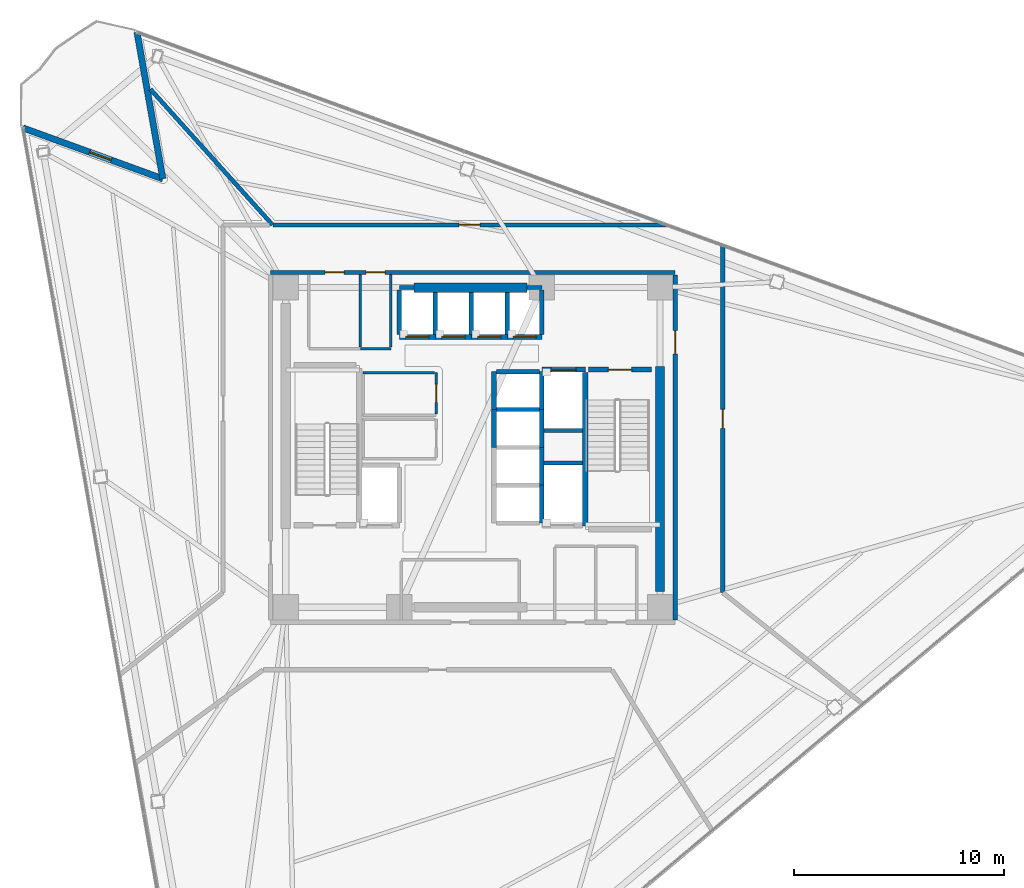
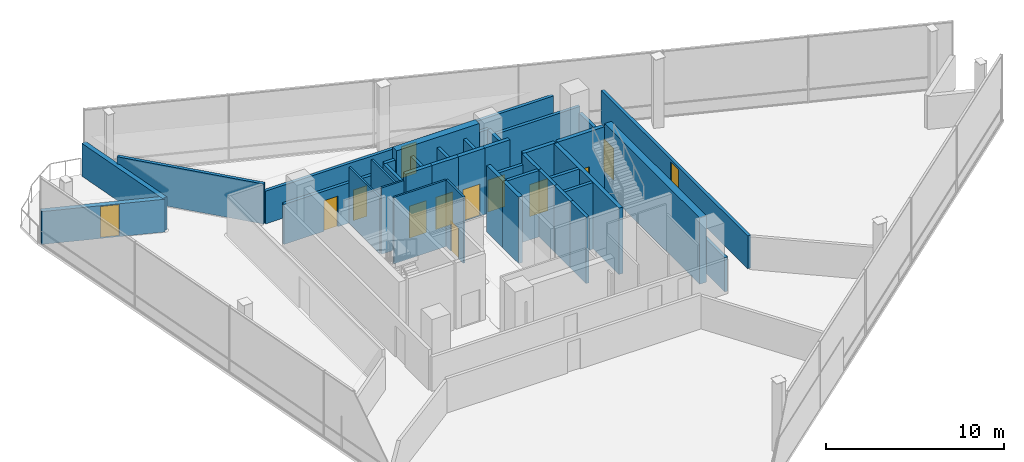
# One storey, part 11 of 15: 38 walls, 13 doors, 13 openings.
"""IFC4 building model written with IfcOpenShell, lengths in metres."""

from ifc_helpers import new_model, si_unit, direction, frame, frame_2d, origin, place, context, subcontext, project, spatial, rectangle, extrude, material, layer, layer_set, type_object, element, fill, save


model = new_model("IFC4")

# Units and contexts
model_context = context("Model", 3, precision=1e-05, world=origin(), true_north=direction((0.0, 1.0)))
body_context = subcontext(model_context, "Body", "Model", "MODEL_VIEW")
ifc_project = project(units=[si_unit("LENGTHUNIT", "METRE"), si_unit("AREAUNIT", "SQUARE_METRE"), si_unit("VOLUMEUNIT", "CUBIC_METRE"), si_unit("PLANEANGLEUNIT", "RADIAN"), si_unit("MASSUNIT", "GRAM", prefix="KILO")], contexts=[model_context])

# Site, building, storey
site_placement = place(None, origin())
site = spatial("IfcSite", under=ifc_project, at=site_placement, CompositionType="ELEMENT")
building_placement = place(site_placement, origin())
building = spatial("IfcBuilding", under=site, at=building_placement, Name="Tharavind Bronze Gate", CompositionType="ELEMENT")
storey_placement = place(building_placement, frame((0.0, 0.0, 192.10009765625)))
storey = spatial("IfcBuildingStorey", under=building, at=storey_placement, Name="L49", CompositionType="ELEMENT", Elevation=192.10009765625)

# Wall
ifc_material_1 = material(Name="Concrete C40/50", Category="concrete")
ifc_layer_1 = layer(ifc_material_1, 0.300048828125)
ifc_layer_set_1 = layer_set([ifc_layer_1], Name="Concrete C40/50")
wall_type_1 = type_object("IfcWallType", Name="EXTERIOR SPANDREL WALL 300", PredefinedType="STANDARD", material=ifc_layer_set_1)
wall_1_placement = place(storey_placement, frame((-15.97314453125, 19.743408203125, 0.0), z_axis=(0.0, 0.0, 1.0), x_axis=(0.173651569749, -0.984807154891, 0.0)))
element("IfcWall", 1, at=wall_1_placement, inside=storey, type_object=wall_type_1, Name="L49 notch cheek wall 1A", PredefinedType="STANDARD", context=body_context, shape_type="SweptSolid", body=[
    extrude(rectangle(XDim=7.080322265625, YDim=0.300048828125, at=frame_2d((3.5400390625, 0.0))), origin(), (0.0, 0.0, 1.0), 2.2548828125),
])

# Wall, opening, door
wall_2_placement = place(storey_placement, frame((-14.74365234375, 12.770751953125, 0.0), z_axis=(0.0, 0.0, 1.0), x_axis=(-0.939687665182, 0.342033758429, 0.0)))
wall_2 = element("IfcWall", 2, at=wall_2_placement, inside=storey, type_object=wall_type_1, Name="L49 notch cheek wall 1B", PredefinedType="STANDARD", context=body_context, shape_type="SweptSolid", body=[
    extrude(rectangle(XDim=7.080078125, YDim=0.300048828125, at=frame_2d((3.5400390625, 0.0))), origin(), (0.0, 0.0, 1.0), 2.2548828125),
])
opening_1_placement = place(wall_2_placement, frame((2.60791015625, 0.0, 0.0)))
opening_1 = element("IfcOpeningElement", 3, at=opening_1_placement, cuts=wall_2, Name="Opening ED04", PredefinedType="OPENING", context=body_context, shape_type="SweptSolid", body=[
    extrude(rectangle(XDim=1.10009765625, YDim=2.199951171875, at=frame_2d((0.550048828125, 1.10009765625))), frame((0.0, 0.15990234375, 0.0), z_axis=(0.0, -1.0, 0.0), x_axis=(1.0, 0.0, 0.0)), (0.0, 0.0, 1.0), 0.320048828125),
])
ifc_material_2 = material(Name="Bronze Aluminium & Toughened Glass", Category="aluminium")
door_type_1 = type_object("IfcDoorType", Name="TREE BALCONY ACCESS DOOR 1100X2200", OperationType="SINGLE_SWING_LEFT", PredefinedType="DOOR", material=ifc_material_2)
door_1_placement = place(opening_1_placement, frame((1.10009765625, 0.0, 0.0), z_axis=(0.0, 0.0, 1.0), x_axis=(-1.0, 0.0, 0.0)))
door_1 = element("IfcDoor", 4, at=door_1_placement, inside=storey, type_object=door_type_1, Name="L49 tree balcony access door", OperationType="SINGLE_SWING_LEFT", OverallHeight=2.199951171875, OverallWidth=1.10009765625, PredefinedType="DOOR", context=body_context, shape_type="SweptSolid", body=[
    extrude(rectangle(XDim=1.10009765625, YDim=2.199951171875, at=frame_2d((0.550048828125, 1.10009765625))), frame((0.0, 0.02490234375, 0.0), z_axis=(0.0, -1.0, 0.0), x_axis=(1.0, 0.0, 0.0)), (0.0, 0.0, 1.0), 0.050048828125),
])
fill(opening_1, door_1)

# Wall, openings, doors
ifc_material_3 = material(Name="Aerated Concrete Block", Category="concrete")
ifc_layer_2 = layer(ifc_material_3, 0.199951171875)
ifc_layer_set_2 = layer_set([ifc_layer_2], Name="Aerated Concrete Block")
wall_type_2 = type_object("IfcWallType", Name="FIRE RATED PARTITION 200", PredefinedType="PARTITIONING", material=ifc_layer_set_2)
wall_3_placement = place(storey_placement, frame((9.6201171875, 8.320068359375, 0.0), z_axis=(0.0, 0.0, 1.0), x_axis=(-1.0, 0.0, 0.0)))
wall_3 = element("IfcWall", 5, at=wall_3_placement, inside=storey, type_object=wall_type_2, Name="L49 north core corridor wall", PredefinedType="PARTITIONING", context=body_context, shape_type="SweptSolid", body=[
    extrude(rectangle(XDim=19.240234375, YDim=0.199951171875, at=frame_2d((9.6201171875, 0.0))), origin(), (0.0, 0.0, 1.0), 2.7548828125),
])
opening_2_placement = place(wall_3_placement, frame((15.7451171875, 0.0, 0.0)))
opening_2 = element("IfcOpeningElement", 6, at=opening_2_placement, cuts=wall_3, Name="Opening ID07", PredefinedType="OPENING", context=body_context, shape_type="SweptSolid", body=[
    extrude(rectangle(XDim=0.89990234375, YDim=2.10009765625, at=frame_2d((0.449951171875, 1.050048828125))), frame((0.0, 0.11009765625, 0.0), z_axis=(0.0, -1.0, 0.0), x_axis=(1.0, 0.0, 0.0)), (0.0, 0.0, 1.0), 0.219951171875),
])
opening_3_placement = place(wall_3_placement, frame((13.794921875, 0.0, 0.0)))
opening_3 = element("IfcOpeningElement", 7, at=opening_3_placement, cuts=wall_3, Name="Opening ID07", PredefinedType="OPENING", context=body_context, shape_type="SweptSolid", body=[
    extrude(rectangle(XDim=0.89990234375, YDim=2.10009765625, at=frame_2d((0.449951171875, 1.050048828125))), frame((0.0, 0.11009765625, 0.0), z_axis=(0.0, -1.0, 0.0), x_axis=(1.0, 0.0, 0.0)), (0.0, 0.0, 1.0), 0.219951171875),
])
ifc_material_4 = material(Name="Galvanised Fire Steel", Category="steel")
door_type_2 = type_object("IfcDoorType", Name="PLANT AND RISER FIRE DOOR 900X2100", OperationType="SINGLE_SWING_LEFT", PredefinedType="DOOR", material=ifc_material_4)
door_2_placement = place(opening_2_placement, origin())
door_2 = element("IfcDoor", 8, at=door_2_placement, inside=storey, type_object=door_type_2, Name="L49 Electrical Metering Room fire door", OperationType="SINGLE_SWING_LEFT", OverallHeight=2.10009765625, OverallWidth=0.89990234375, PredefinedType="DOOR", context=body_context, shape_type="SweptSolid", body=[
    extrude(rectangle(XDim=0.89990234375, YDim=2.10009765625, at=frame_2d((0.449951171875, 1.050048828125))), frame((0.0, 0.02490234375, 0.0), z_axis=(0.0, -1.0, 0.0), x_axis=(1.0, 0.0, 0.0)), (0.0, 0.0, 1.0), 0.050048828125),
])
fill(opening_2, door_2)
door_3_placement = place(opening_3_placement, origin())
door_3 = element("IfcDoor", 9, at=door_3_placement, inside=storey, type_object=door_type_2, Name="L49 Linen Cupboard fire door", OperationType="SINGLE_SWING_LEFT", OverallHeight=2.10009765625, OverallWidth=0.89990234375, PredefinedType="DOOR", context=body_context, shape_type="SweptSolid", body=[
    extrude(rectangle(XDim=0.89990234375, YDim=2.10009765625, at=frame_2d((0.449951171875, 1.050048828125))), frame((0.0, 0.02490234375, 0.0), z_axis=(0.0, -1.0, 0.0), x_axis=(1.0, 0.0, 0.0)), (0.0, 0.0, 1.0), 0.050048828125),
])
fill(opening_3, door_3)

# Wall, opening, door
wall_4_placement = place(storey_placement, frame((9.6201171875, -8.199951171875, 0.0), z_axis=(0.0, 0.0, 1.0), x_axis=(0.0, 1.0, 0.0)))
wall_4 = element("IfcWall", 10, at=wall_4_placement, inside=storey, type_object=wall_type_2, Name="L49 east core corridor wall", PredefinedType="PARTITIONING", context=body_context, shape_type="SweptSolid", body=[
    extrude(rectangle(XDim=16.39990234375, YDim=0.199951171875, at=frame_2d((8.199951171875, 0.0))), origin(), (0.0, 0.0, 1.0), 2.35498046875),
])
opening_4_placement = place(wall_4_placement, frame((12.64990234375, 0.0, 0.0)))
opening_4 = element("IfcOpeningElement", 11, at=opening_4_placement, cuts=wall_4, Name="Opening ID01", PredefinedType="OPENING", context=body_context, shape_type="SweptSolid", body=[
    extrude(rectangle(XDim=1.10009765625, YDim=2.14990234375, at=frame_2d((0.550048828125, 1.074951171875))), frame((0.0, 0.11009765625, 0.0), z_axis=(0.0, -1.0, 0.0), x_axis=(1.0, 0.0, 0.0)), (0.0, 0.0, 1.0), 0.219951171875),
])
ifc_material_5 = material(Name="Fire-Rated Steel", Category="steel")
door_type_3 = type_object("IfcDoorType", Name="STAIR CORE FIRE DOOR 1100X2150", OperationType="SINGLE_SWING_LEFT", PredefinedType="DOOR", material=ifc_material_5)
door_4_placement = place(opening_4_placement, frame((1.10009765625, 0.0, 0.0), z_axis=(0.0, 0.0, 1.0), x_axis=(-1.0, 0.0, 0.0)))
door_4 = element("IfcDoor", 12, at=door_4_placement, inside=storey, type_object=door_type_3, Name="L49 north east stair lobby fire door", OperationType="SINGLE_SWING_LEFT", OverallHeight=2.14990234375, OverallWidth=1.10009765625, PredefinedType="DOOR", context=body_context, shape_type="SweptSolid", body=[
    extrude(rectangle(XDim=1.10009765625, YDim=2.14990234375, at=frame_2d((0.550048828125, 1.074951171875))), frame((0.0, 0.02490234375, 0.0), z_axis=(0.0, -1.0, 0.0), x_axis=(1.0, 0.0, 0.0)), (0.0, 0.0, 1.0), 0.050048828125),
])
fill(opening_4, door_4)

wall_5_placement = place(storey_placement, frame((9.202880859375, 10.580078125, 0.0), z_axis=(0.0, 0.0, 1.0), x_axis=(-1.0, 0.0, 0.0)))
wall_5 = element("IfcWall", 13, at=wall_5_placement, inside=storey, type_object=wall_type_2, Name="L49 Industrial Design Open Studio partition", PredefinedType="PARTITIONING", context=body_context, shape_type="SweptSolid", body=[
    extrude(rectangle(XDim=18.718017578125, YDim=0.199951171875, at=frame_2d((9.35888671875, 0.0))), origin(), (0.0, 0.0, 1.0), 2.2548828125),
])
opening_5_placement = place(wall_5_placement, frame((8.85888671875, 0.0, 0.0)))
opening_5 = element("IfcOpeningElement", 14, at=opening_5_placement, cuts=wall_5, Name="Opening ID04", PredefinedType="OPENING", context=body_context, shape_type="SweptSolid", body=[
    extrude(rectangle(XDim=1.0, YDim=2.14990234375, at=frame_2d((0.5, 1.074951171875))), frame((0.0, 0.11009765625, 0.0), z_axis=(0.0, -1.0, 0.0), x_axis=(1.0, 0.0, 0.0)), (0.0, 0.0, 1.0), 0.219951171875),
])
ifc_material_6 = material(Name="Bronze Framed Acoustic Timber", Category="wood")
door_type_4 = type_object("IfcDoorType", Name="OFFICE TENANCY DOOR 1000X2150", OperationType="SINGLE_SWING_RIGHT", PredefinedType="DOOR", material=ifc_material_6)
door_5_placement = place(opening_5_placement, origin())
door_5 = element("IfcDoor", 15, at=door_5_placement, inside=storey, type_object=door_type_4, Name="L49 Industrial Design Open Studio door", OperationType="SINGLE_SWING_RIGHT", OverallHeight=2.14990234375, OverallWidth=1.0, PredefinedType="DOOR", context=body_context, shape_type="SweptSolid", body=[
    extrude(rectangle(XDim=1.0, YDim=2.14990234375, at=frame_2d((0.5, 1.074951171875))), frame((0.0, 0.02490234375, 0.0), z_axis=(0.0, -1.0, 0.0), x_axis=(1.0, 0.0, 0.0)), (0.0, 0.0, 1.0), 0.050048828125),
])
fill(opening_5, door_5)

# Wall
wall_6_placement = place(storey_placement, frame((-9.53369140625, 10.58837890625, 0.0), z_axis=(0.0, 0.0, 1.0), x_axis=(-0.66914197802, 0.743134586231, 0.0)))
element("IfcWall", 16, at=wall_6_placement, inside=storey, type_object=wall_type_2, Name="L49 Industrial Design Open Studio partition", PredefinedType="PARTITIONING", context=body_context, shape_type="SweptSolid", body=[
    extrude(rectangle(XDim=8.674560546875, YDim=0.199951171875, at=frame_2d((4.33740234375, 0.0))), origin(), (0.0, 0.0, 1.0), 2.7548828125),
])

# Wall, opening, door
wall_7_placement = place(storey_placement, frame((11.8798828125, -6.891357421875, 0.0), z_axis=(0.0, 0.0, 1.0), x_axis=(0.0, 1.0, 0.0)))
wall_7 = element("IfcWall", 17, at=wall_7_placement, inside=storey, type_object=wall_type_2, Name="L49 Design Tea Pantry partition", PredefinedType="PARTITIONING", context=body_context, shape_type="SweptSolid", body=[
    extrude(rectangle(XDim=16.4970703125, YDim=0.199951171875, at=frame_2d((8.24853515625, 0.0))), origin(), (0.0, 0.0, 1.0), 2.2548828125),
])
opening_6_placement = place(wall_7_placement, frame((7.798095703125, 0.0, 0.0)))
opening_6 = element("IfcOpeningElement", 18, at=opening_6_placement, cuts=wall_7, Name="Opening ID07", PredefinedType="OPENING", context=body_context, shape_type="SweptSolid", body=[
    extrude(rectangle(XDim=0.89990234375, YDim=2.10009765625, at=frame_2d((0.449951171875, 1.050048828125))), frame((0.0, 0.11009765625, 0.0), z_axis=(0.0, -1.0, 0.0), x_axis=(1.0, 0.0, 0.0)), (0.0, 0.0, 1.0), 0.219951171875),
])
door_6_placement = place(opening_6_placement, origin())
door_6 = element("IfcDoor", 19, at=door_6_placement, inside=storey, type_object=door_type_2, Name="L49 Design Tea Pantry door", OperationType="SINGLE_SWING_LEFT", OverallHeight=2.10009765625, OverallWidth=0.89990234375, PredefinedType="DOOR", context=body_context, shape_type="SweptSolid", body=[
    extrude(rectangle(XDim=0.89990234375, YDim=2.10009765625, at=frame_2d((0.449951171875, 1.050048828125))), frame((0.0, 0.02490234375, 0.0), z_axis=(0.0, -1.0, 0.0), x_axis=(1.0, 0.0, 0.0)), (0.0, 0.0, 1.0), 0.050048828125),
])
fill(opening_6, door_6)

ifc_material_7 = material(Name="Metal Stud Gypsum Partition", Category="gypsum")
ifc_layer_3 = layer(ifc_material_7, 0.1201171875)
ifc_layer_set_3 = layer_set([ifc_layer_3], Name="Metal Stud Gypsum Partition")
wall_type_3 = type_object("IfcWallType", Name="INTERIOR PARTITION WALL 120", PredefinedType="PARTITIONING", material=ifc_layer_set_3)
wall_8_placement = place(storey_placement, frame((-1.75, 1.5849609375, 0.0), z_axis=(0.0, 0.0, 1.0), x_axis=(0.0, 1.0, 0.0)))
wall_8 = element("IfcWall", 20, at=wall_8_placement, inside=storey, type_object=wall_type_3, Name="L49 Cleaner Store Room partition 2", PredefinedType="PARTITIONING", context=body_context, shape_type="SweptSolid", body=[
    extrude(rectangle(XDim=1.965087890625, YDim=0.1201171875, at=frame_2d((0.982421875, 0.0))), origin(), (0.0, 0.0, 1.0), 4.559814453125),
])
opening_7_placement = place(wall_8_placement, frame((0.556884765625, 0.0, 0.0)))
opening_7 = element("IfcOpeningElement", 21, at=opening_7_placement, cuts=wall_8, Name="Opening ID06", PredefinedType="OPENING", context=body_context, shape_type="SweptSolid", body=[
    extrude(rectangle(XDim=0.85009765625, YDim=2.10009765625, at=frame_2d((0.425048828125, 1.050048828125))), frame((0.0, 0.07005859375, 0.0), z_axis=(0.0, -1.0, 0.0), x_axis=(1.0, 0.0, 0.0)), (0.0, 0.0, 1.0), 0.1401171875),
])
ifc_material_8 = material(Name="Moisture-Resistant Timber", Category="wood")
door_type_5 = type_object("IfcDoorType", Name="BATHROOM PRIVACY DOOR 850X2100", OperationType="SINGLE_SWING_RIGHT", PredefinedType="DOOR", material=ifc_material_8)
door_7_placement = place(opening_7_placement, frame((0.85009765625, 0.0, 0.0), z_axis=(0.0, 0.0, 1.0), x_axis=(-1.0, 0.0, 0.0)))
door_7 = element("IfcDoor", 22, at=door_7_placement, inside=storey, type_object=door_type_5, Name="L49 Cleaner Store Room door", OperationType="SINGLE_SWING_RIGHT", OverallHeight=2.10009765625, OverallWidth=0.85009765625, PredefinedType="DOOR", context=body_context, shape_type="SweptSolid", body=[
    extrude(rectangle(XDim=0.85009765625, YDim=2.10009765625, at=frame_2d((0.425048828125, 1.050048828125))), frame((0.0, 0.02490234375, 0.0), z_axis=(0.0, -1.0, 0.0), x_axis=(1.0, 0.0, 0.0)), (0.0, 0.0, 1.0), 0.050048828125),
])
fill(opening_7, door_7)

# Walls
wall_9_placement = place(storey_placement, frame((-1.81494140625, 3.550048828125, 0.0), z_axis=(0.0, 0.0, 1.0), x_axis=(-1.0, 0.0, 0.0)))
element("IfcWall", 23, at=wall_9_placement, inside=storey, type_object=wall_type_3, Name="L49 Cleaner Store Room partition 3", PredefinedType="PARTITIONING", context=body_context, shape_type="SweptSolid", body=[
    extrude(rectangle(XDim=3.405029296875, YDim=0.1201171875, at=frame_2d((1.70263671875, 0.0))), origin(), (0.0, 0.0, 1.0), 4.559814453125),
])
wall_10_placement = place(storey_placement, frame((-5.35009765625, 4.764892578125, 0.0), z_axis=(0.0, 0.0, 1.0), x_axis=(0.0, 1.0, 0.0)))
element("IfcWall", 24, at=wall_10_placement, inside=storey, type_object=wall_type_3, Name="L49 Electrical Metering Room partition 2", PredefinedType="PARTITIONING", context=body_context, shape_type="SweptSolid", body=[
    extrude(rectangle(XDim=3.4501953125, YDim=0.1201171875, at=frame_2d((1.72509765625, 0.0))), origin(), (0.0, 0.0, 1.0), 3.85498046875),
])
wall_11_placement = place(storey_placement, frame((-5.35009765625, 4.699951171875, 0.0), z_axis=(0.0, 0.0, 1.0), x_axis=(1.0, 0.0, 0.0)))
element("IfcWall", 25, at=wall_11_placement, inside=storey, type_object=wall_type_3, Name="L49 Linen Cupboard partition 1", PredefinedType="PARTITIONING", context=body_context, shape_type="SweptSolid", body=[
    extrude(rectangle(XDim=1.4501953125, YDim=0.1201171875, at=frame_2d((0.72509765625, 0.0))), origin(), (0.0, 0.0, 1.0), 4.559814453125),
])
wall_12_placement = place(storey_placement, frame((-3.89990234375, 4.764892578125, 0.0), z_axis=(0.0, 0.0, 1.0), x_axis=(0.0, 1.0, 0.0)))
element("IfcWall", 26, at=wall_12_placement, inside=storey, type_object=wall_type_3, Name="L49 Linen Cupboard partition 2", PredefinedType="PARTITIONING", context=body_context, shape_type="SweptSolid", body=[
    extrude(rectangle(XDim=3.4501953125, YDim=0.1201171875, at=frame_2d((1.72509765625, 0.0))), origin(), (0.0, 0.0, 1.0), 3.85498046875),
])
ifc_material_9 = material(Name="Concrete C50/60", Category="concrete")
ifc_layer_4 = layer(ifc_material_9, 0.25)
ifc_layer_set_4 = layer_set([ifc_layer_4], Name="Concrete C50/60")
wall_type_4 = type_object("IfcWallType", Name="RC CORE SHEAR WALL 250", PredefinedType="SHEAR", material=ifc_layer_set_4)
wall_13_placement = place(storey_placement, frame((5.35009765625, -3.75, 0.0), z_axis=(0.0, 0.0, 1.0), x_axis=(0.0, 1.0, 0.0)))
element("IfcWall", 27, at=wall_13_placement, inside=storey, type_object=wall_type_4, Name="L49 ST2 shaft west wall", PredefinedType="SHEAR", context=body_context, shape_type="SweptSolid", body=[
    extrude(rectangle(XDim=7.300048828125, YDim=0.25, at=frame_2d((3.64990234375, 0.0))), origin(), (0.0, 0.0, 1.0), 4.559814453125),
])

# Wall, opening, door
wall_14_placement = place(storey_placement, frame((5.5, 3.699951171875, 0.0), z_axis=(0.0, 0.0, 1.0), x_axis=(1.0, 0.0, 0.0)))
wall_14 = element("IfcWall", 28, at=wall_14_placement, inside=storey, type_object=wall_type_4, Name="L49 ST2 shaft north wall", PredefinedType="SHEAR", context=body_context, shape_type="SweptSolid", body=[
    extrude(rectangle(XDim=3.0, YDim=0.25, at=frame_2d((1.5, 0.0))), origin(), (0.0, 0.0, 1.0), 4.559814453125),
])
opening_8_placement = place(wall_14_placement, frame((0.949951171875, 0.0, 0.0)))
opening_8 = element("IfcOpeningElement", 29, at=opening_8_placement, cuts=wall_14, Name="Opening ID01", PredefinedType="OPENING", context=body_context, shape_type="SweptSolid", body=[
    extrude(rectangle(XDim=1.10009765625, YDim=2.14990234375, at=frame_2d((0.550048828125, 1.074951171875))), frame((0.0, 0.135, 0.0), z_axis=(0.0, -1.0, 0.0), x_axis=(1.0, 0.0, 0.0)), (0.0, 0.0, 1.0), 0.27),
])
door_8_placement = place(opening_8_placement, frame((1.10009765625, 0.0, 0.0), z_axis=(0.0, 0.0, 1.0), x_axis=(-1.0, 0.0, 0.0)))
door_8 = element("IfcDoor", 30, at=door_8_placement, inside=storey, type_object=door_type_3, Name="L49 exit stair ST2 fire door", OperationType="SINGLE_SWING_LEFT", OverallHeight=2.14990234375, OverallWidth=1.10009765625, PredefinedType="DOOR", context=body_context, shape_type="SweptSolid", body=[
    extrude(rectangle(XDim=1.10009765625, YDim=2.14990234375, at=frame_2d((0.550048828125, 1.074951171875))), frame((0.0, 0.02490234375, 0.0), z_axis=(0.0, -1.0, 0.0), x_axis=(1.0, 0.0, 0.0)), (0.0, 0.0, 1.0), 0.050048828125),
])
fill(opening_8, door_8)

wall_15_placement = place(storey_placement, frame((-3.5, 5.25, 0.0), z_axis=(0.0, 0.0, 1.0), x_axis=(1.0, 0.0, 0.0)))
wall_15 = element("IfcWall", 31, at=wall_15_placement, inside=storey, type_object=wall_type_4, Name="L49 lift PL5 shaft front wall", PredefinedType="SHEAR", context=body_context, shape_type="SweptSolid", body=[
    extrude(rectangle(XDim=1.71240234375, YDim=0.25, at=frame_2d((0.856201171875, 0.0))), origin(), (0.0, 0.0, 1.0), 4.559814453125),
])
opening_9_placement = place(wall_15_placement, frame((0.305908203125, 0.0, 0.0)))
opening_9 = element("IfcOpeningElement", 32, at=opening_9_placement, cuts=wall_15, Name="Opening LD01", PredefinedType="OPENING", context=body_context, shape_type="SweptSolid", body=[
    extrude(rectangle(XDim=1.10009765625, YDim=2.199951171875, at=frame_2d((0.550048828125, 1.10009765625))), frame((0.0, 0.135, 0.0), z_axis=(0.0, -1.0, 0.0), x_axis=(1.0, 0.0, 0.0)), (0.0, 0.0, 1.0), 0.27),
])
ifc_material_10 = material(Name="Brushed Bronze Stainless Steel", Category="steel")
door_type_6 = type_object("IfcDoorType", Name="LIFT LANDING SLIDING DOOR 1100X2200", OperationType="SLIDING_TO_LEFT", PredefinedType="DOOR", material=ifc_material_10)
door_9_placement = place(opening_9_placement, origin())
door_9 = element("IfcDoor", 33, at=door_9_placement, inside=storey, type_object=door_type_6, Name="L49 lift PL5 sliding landing door", OperationType="SLIDING_TO_LEFT", OverallHeight=2.199951171875, OverallWidth=1.10009765625, PredefinedType="DOOR", context=body_context, shape_type="SweptSolid", body=[
    extrude(rectangle(XDim=1.10009765625, YDim=2.199951171875, at=frame_2d((0.550048828125, 1.10009765625))), frame((0.0, 0.02490234375, 0.0), z_axis=(0.0, -1.0, 0.0), x_axis=(1.0, 0.0, 0.0)), (0.0, 0.0, 1.0), 0.050048828125),
])
fill(opening_9, door_9)

wall_16_placement = place(storey_placement, frame((-1.78759765625, 5.25, 0.0), z_axis=(0.0, 0.0, 1.0), x_axis=(1.0, 0.0, 0.0)))
wall_16 = element("IfcWall", 34, at=wall_16_placement, inside=storey, type_object=wall_type_4, Name="L49 lift PL6 shaft front wall", PredefinedType="SHEAR", context=body_context, shape_type="SweptSolid", body=[
    extrude(rectangle(XDim=1.712646484375, YDim=0.25, at=frame_2d((0.8564453125, 0.0))), origin(), (0.0, 0.0, 1.0), 4.559814453125),
])
opening_10_placement = place(wall_16_placement, frame((0.305908203125, 0.0, 0.0)))
opening_10 = element("IfcOpeningElement", 35, at=opening_10_placement, cuts=wall_16, Name="Opening LD01", PredefinedType="OPENING", context=body_context, shape_type="SweptSolid", body=[
    extrude(rectangle(XDim=1.10009765625, YDim=2.199951171875, at=frame_2d((0.550048828125, 1.10009765625))), frame((0.0, 0.135, 0.0), z_axis=(0.0, -1.0, 0.0), x_axis=(1.0, 0.0, 0.0)), (0.0, 0.0, 1.0), 0.27),
])
door_10_placement = place(opening_10_placement, origin())
door_10 = element("IfcDoor", 36, at=door_10_placement, inside=storey, type_object=door_type_6, Name="L49 lift PL6 sliding landing door", OperationType="SLIDING_TO_LEFT", OverallHeight=2.199951171875, OverallWidth=1.10009765625, PredefinedType="DOOR", context=body_context, shape_type="SweptSolid", body=[
    extrude(rectangle(XDim=1.10009765625, YDim=2.199951171875, at=frame_2d((0.550048828125, 1.10009765625))), frame((0.0, 0.02490234375, 0.0), z_axis=(0.0, -1.0, 0.0), x_axis=(1.0, 0.0, 0.0)), (0.0, 0.0, 1.0), 0.050048828125),
])
fill(opening_10, door_10)

wall_17_placement = place(storey_placement, frame((-0.074951171875, 5.25, 0.0), z_axis=(0.0, 0.0, 1.0), x_axis=(1.0, 0.0, 0.0)))
wall_17 = element("IfcWall", 37, at=wall_17_placement, inside=storey, type_object=wall_type_4, Name="L49 lift PL7 shaft front wall", PredefinedType="SHEAR", context=body_context, shape_type="SweptSolid", body=[
    extrude(rectangle(XDim=1.71240234375, YDim=0.25, at=frame_2d((0.856201171875, 0.0))), origin(), (0.0, 0.0, 1.0), 4.559814453125),
])
opening_11_placement = place(wall_17_placement, frame((0.305908203125, 0.0, 0.0)))
opening_11 = element("IfcOpeningElement", 38, at=opening_11_placement, cuts=wall_17, Name="Opening LD01", PredefinedType="OPENING", context=body_context, shape_type="SweptSolid", body=[
    extrude(rectangle(XDim=1.10009765625, YDim=2.199951171875, at=frame_2d((0.550048828125, 1.10009765625))), frame((0.0, 0.135, 0.0), z_axis=(0.0, -1.0, 0.0), x_axis=(1.0, 0.0, 0.0)), (0.0, 0.0, 1.0), 0.27),
])
door_11_placement = place(opening_11_placement, origin())
door_11 = element("IfcDoor", 39, at=door_11_placement, inside=storey, type_object=door_type_6, Name="L49 lift PL7 sliding landing door", OperationType="SLIDING_TO_LEFT", OverallHeight=2.199951171875, OverallWidth=1.10009765625, PredefinedType="DOOR", context=body_context, shape_type="SweptSolid", body=[
    extrude(rectangle(XDim=1.10009765625, YDim=2.199951171875, at=frame_2d((0.550048828125, 1.10009765625))), frame((0.0, 0.02490234375, 0.0), z_axis=(0.0, -1.0, 0.0), x_axis=(1.0, 0.0, 0.0)), (0.0, 0.0, 1.0), 0.050048828125),
])
fill(opening_11, door_11)

wall_18_placement = place(storey_placement, frame((1.637451171875, 5.25, 0.0), z_axis=(0.0, 0.0, 1.0), x_axis=(1.0, 0.0, 0.0)))
wall_18 = element("IfcWall", 40, at=wall_18_placement, inside=storey, type_object=wall_type_4, Name="L49 lift PL8 shaft front wall", PredefinedType="SHEAR", context=body_context, shape_type="SweptSolid", body=[
    extrude(rectangle(XDim=1.642578125, YDim=0.25, at=frame_2d((0.8212890625, 0.0))), origin(), (0.0, 0.0, 1.0), 4.559814453125),
])
opening_12_placement = place(wall_18_placement, frame((0.27099609375, 0.0, 0.0)))
opening_12 = element("IfcOpeningElement", 41, at=opening_12_placement, cuts=wall_18, Name="Opening LD01", PredefinedType="OPENING", context=body_context, shape_type="SweptSolid", body=[
    extrude(rectangle(XDim=1.10009765625, YDim=2.199951171875, at=frame_2d((0.550048828125, 1.10009765625))), frame((0.0, 0.135, 0.0), z_axis=(0.0, -1.0, 0.0), x_axis=(1.0, 0.0, 0.0)), (0.0, 0.0, 1.0), 0.27),
])
door_12_placement = place(opening_12_placement, origin())
door_12 = element("IfcDoor", 42, at=door_12_placement, inside=storey, type_object=door_type_6, Name="L49 lift PL8 sliding landing door", OperationType="SLIDING_TO_LEFT", OverallHeight=2.199951171875, OverallWidth=1.10009765625, PredefinedType="DOOR", context=body_context, shape_type="SweptSolid", body=[
    extrude(rectangle(XDim=1.10009765625, YDim=2.199951171875, at=frame_2d((0.550048828125, 1.10009765625))), frame((0.0, 0.02490234375, 0.0), z_axis=(0.0, -1.0, 0.0), x_axis=(1.0, 0.0, 0.0)), (0.0, 0.0, 1.0), 0.050048828125),
])
fill(opening_12, door_12)

# Walls
for number, where, z_axis, x_axis, name in (
    (43, (1.0, 0.0, 0.0), (0.0, 0.0, 1.0), (0.0, 1.0, 0.0), "L49 lift PL11 shaft front wall"),
    (44, (1.0, 1.800048828125, 0.0), (0.0, 0.0, 1.0), (0.0, 1.0, 0.0), "L49 lift PL12 shaft front wall"),
):
    element("IfcWall", number, at=place(storey_placement, frame(where, z_axis=z_axis, x_axis=x_axis)), inside=storey, type_object=wall_type_4, Name=name, PredefinedType="SHEAR", context=body_context, shape_type="SweptSolid", body=[
        extrude(rectangle(XDim=1.800048828125, YDim=0.25, at=frame_2d((0.89990234375, 0.0))), origin(), (0.0, 0.0, 1.0), 4.559814453125),
    ])

# Wall, opening, door
wall_19_placement = place(storey_placement, frame((3.280029296875, 3.699951171875, 0.0), z_axis=(0.0, 0.0, 1.0), x_axis=(1.0, 0.0, 0.0)))
wall_19 = element("IfcWall", 45, at=wall_19_placement, inside=storey, type_object=wall_type_4, Name="L49 lift FFL2 shaft front wall", PredefinedType="SHEAR", context=body_context, shape_type="SweptSolid", body=[
    extrude(rectangle(XDim=2.070068359375, YDim=0.25, at=frame_2d((1.03515625, 0.0))), origin(), (0.0, 0.0, 1.0), 4.559814453125),
])
opening_13_placement = place(wall_19_placement, frame((0.43505859375, 0.0, 0.0)))
opening_13 = element("IfcOpeningElement", 46, at=opening_13_placement, cuts=wall_19, Name="Opening LD02", PredefinedType="OPENING", context=body_context, shape_type="SweptSolid", body=[
    extrude(rectangle(XDim=1.199951171875, YDim=2.199951171875, at=frame_2d((0.60009765625, 1.10009765625))), frame((0.0, 0.135, 0.0), z_axis=(0.0, -1.0, 0.0), x_axis=(1.0, 0.0, 0.0)), (0.0, 0.0, 1.0), 0.27),
])
ifc_material_11 = material(Name="Brushed Stainless Steel", Category="steel")
door_type_7 = type_object("IfcDoorType", Name="FIREFIGHTING LIFT LANDING DOOR 1200X2200", OperationType="SLIDING_TO_RIGHT", PredefinedType="DOOR", material=ifc_material_11)
door_13_placement = place(opening_13_placement, origin())
door_13 = element("IfcDoor", 47, at=door_13_placement, inside=storey, type_object=door_type_7, Name="L49 lift FFL2 sliding landing door", OperationType="SLIDING_TO_RIGHT", OverallHeight=2.199951171875, OverallWidth=1.199951171875, PredefinedType="DOOR", context=body_context, shape_type="SweptSolid", body=[
    extrude(rectangle(XDim=1.199951171875, YDim=2.199951171875, at=frame_2d((0.60009765625, 1.10009765625))), frame((0.0, 0.02490234375, 0.0), z_axis=(0.0, -1.0, 0.0), x_axis=(1.0, 0.0, 0.0)), (0.0, 0.0, 1.0), 0.050048828125),
])
fill(opening_13, door_13)

# Walls
ifc_material_12 = material(Name="Concrete C60/75", Category="concrete")
ifc_layer_5 = layer(ifc_material_12, 0.449951171875)
ifc_layer_set_5 = layer_set([ifc_layer_5], Name="Concrete C60/75")
wall_type_5 = type_object("IfcWallType", Name="RC CORE SHEAR WALL 450", PredefinedType="SHEAR", material=ifc_layer_set_5)
wall_20_placement = place(storey_placement, frame((-2.800048828125, 7.60009765625, 0.0), z_axis=(0.0, 0.0, 1.0), x_axis=(1.0, 0.0, 0.0)))
element("IfcWall", 48, at=wall_20_placement, inside=storey, type_object=wall_type_5, Name="L49 north core shear wall", PredefinedType="SHEAR", context=body_context, shape_type="SweptSolid", body=[
    extrude(rectangle(XDim=5.380126953125, YDim=0.449951171875, at=frame_2d((2.68994140625, 0.0))), origin(), (0.0, 0.0, 1.0), 4.559814453125),
])
wall_21_placement = place(storey_placement, frame((8.89990234375, -6.85009765625, 0.0), z_axis=(0.0, 0.0, 1.0), x_axis=(0.0, 1.0, 0.0)))
element("IfcWall", 49, at=wall_21_placement, inside=storey, type_object=wall_type_5, Name="L49 east core shear wall", PredefinedType="SHEAR", context=body_context, shape_type="SweptSolid", body=[
    extrude(rectangle(XDim=10.7001953125, YDim=0.449951171875, at=frame_2d((5.35009765625, 0.0))), origin(), (0.0, 0.0, 1.0), 4.559814453125),
])
ifc_layer_6 = layer(ifc_material_1, 0.199951171875)
ifc_layer_set_6 = layer_set([ifc_layer_6], Name="Concrete C40/50")
wall_type_6 = type_object("IfcWallType", Name="SHAFT ENCLOSURE WALL 200", PredefinedType="PARTITIONING", material=ifc_layer_set_6)
wall_22_placement = place(storey_placement, frame((-3.5, 7.60009765625, 0.0), z_axis=(0.0, 0.0, 1.0), x_axis=(1.0, 0.0, 0.0)))
element("IfcWall", 50, at=wall_22_placement, inside=storey, type_object=wall_type_6, Name="L49 lift PL5 shaft N enclosure wall", PredefinedType="PARTITIONING", context=body_context, shape_type="SweptSolid", body=[
    extrude(rectangle(XDim=0.699951171875, YDim=0.199951171875, at=frame_2d((0.35009765625, 0.0))), origin(), (0.0, 0.0, 1.0), 3.85498046875),
])
wall_23_placement = place(storey_placement, frame((-3.5, 5.3798828125, 0.0), z_axis=(0.0, 0.0, 1.0), x_axis=(0.0, 1.0, 0.0)))
element("IfcWall", 51, at=wall_23_placement, inside=storey, type_object=wall_type_6, Name="L49 lift PL5 shaft W enclosure wall", PredefinedType="PARTITIONING", context=body_context, shape_type="SweptSolid", body=[
    extrude(rectangle(XDim=2.115234375, YDim=0.199951171875, at=frame_2d((1.0576171875, 0.0))), origin(), (0.0, 0.0, 1.0), 3.85498046875),
])
for number, where, z_axis, x_axis, name in (
    (52, (-1.78759765625, 5.3798828125, 0.0), (0.0, 0.0, 1.0), (0.0, 1.0, 0.0), "L49 lift PL5 shaft E enclosure wall"),
    (53, (-0.074951171875, 5.3798828125, 0.0), (0.0, 0.0, 1.0), (0.0, 1.0, 0.0), "L49 lift PL6 shaft E enclosure wall"),
    (54, (1.637451171875, 5.3798828125, 0.0), (0.0, 0.0, 1.0), (0.0, 1.0, 0.0), "L49 lift PL7 shaft E enclosure wall"),
):
    element("IfcWall", number, at=place(storey_placement, frame(where, z_axis=z_axis, x_axis=x_axis)), inside=storey, type_object=wall_type_6, Name=name, PredefinedType="PARTITIONING", context=body_context, shape_type="SweptSolid", body=[
        extrude(rectangle(XDim=1.990234375, YDim=0.199951171875, at=frame_2d((0.9951171875, 0.0))), origin(), (0.0, 0.0, 1.0), 3.85498046875),
    ])
wall_24_placement = place(storey_placement, frame((2.580078125, 7.60009765625, 0.0), z_axis=(0.0, 0.0, 1.0), x_axis=(1.0, 0.0, 0.0)))
element("IfcWall", 55, at=wall_24_placement, inside=storey, type_object=wall_type_6, Name="L49 lift PL8 shaft N enclosure wall", PredefinedType="PARTITIONING", context=body_context, shape_type="SweptSolid", body=[
    extrude(rectangle(XDim=0.699951171875, YDim=0.199951171875, at=frame_2d((0.35009765625, 0.0))), origin(), (0.0, 0.0, 1.0), 3.85498046875),
])
wall_25_placement = place(storey_placement, frame((3.280029296875, 5.3798828125, 0.0), z_axis=(0.0, 0.0, 1.0), x_axis=(0.0, 1.0, 0.0)))
element("IfcWall", 56, at=wall_25_placement, inside=storey, type_object=wall_type_6, Name="L49 lift PL8 shaft E enclosure wall", PredefinedType="PARTITIONING", context=body_context, shape_type="SweptSolid", body=[
    extrude(rectangle(XDim=2.115234375, YDim=0.199951171875, at=frame_2d((1.0576171875, 0.0))), origin(), (0.0, 0.0, 1.0), 3.85498046875),
])
for number, where, z_axis, x_axis, name in (
    (57, (3.280029296875, -3.60009765625, 0.0), (0.0, 0.0, 1.0), (0.0, 1.0, 0.0), "L49 lift PL9 shaft E enclosure wall"),
    (58, (3.280029296875, -1.800048828125, 0.0), (0.0, 0.0, 1.0), (0.0, 1.0, 0.0), "L49 lift PL10 shaft E enclosure wall"),
    (59, (3.280029296875, 0.0, 0.0), (0.0, 0.0, 1.0), (0.0, 1.0, 0.0), "L49 lift PL11 shaft E enclosure wall"),
):
    element("IfcWall", number, at=place(storey_placement, frame(where, z_axis=z_axis, x_axis=x_axis)), inside=storey, type_object=wall_type_6, Name=name, PredefinedType="PARTITIONING", context=body_context, shape_type="SweptSolid", body=[
        extrude(rectangle(XDim=1.800048828125, YDim=0.199951171875, at=frame_2d((0.89990234375, 0.0))), origin(), (0.0, 0.0, 1.0), 4.559814453125),
    ])
wall_26_placement = place(storey_placement, frame((1.1298828125, 1.800048828125, 0.0), z_axis=(0.0, 0.0, 1.0), x_axis=(1.0, 0.0, 0.0)))
element("IfcWall", 60, at=wall_26_placement, inside=storey, type_object=wall_type_6, Name="L49 lift PL11 shaft N enclosure wall", PredefinedType="PARTITIONING", context=body_context, shape_type="SweptSolid", body=[
    extrude(rectangle(XDim=2.045166015625, YDim=0.199951171875, at=frame_2d((1.0224609375, 0.0))), origin(), (0.0, 0.0, 1.0), 4.559814453125),
])
wall_27_placement = place(storey_placement, frame((3.280029296875, 1.800048828125, 0.0), z_axis=(0.0, 0.0, 1.0), x_axis=(0.0, 1.0, 0.0)))
element("IfcWall", 61, at=wall_27_placement, inside=storey, type_object=wall_type_6, Name="L49 lift PL12 shaft E enclosure wall", PredefinedType="PARTITIONING", context=body_context, shape_type="SweptSolid", body=[
    extrude(rectangle(XDim=1.800048828125, YDim=0.199951171875, at=frame_2d((0.89990234375, 0.0))), origin(), (0.0, 0.0, 1.0), 4.559814453125),
])
wall_28_placement = place(storey_placement, frame((1.1298828125, 3.60009765625, 0.0), z_axis=(0.0, 0.0, 1.0), x_axis=(1.0, 0.0, 0.0)))
element("IfcWall", 62, at=wall_28_placement, inside=storey, type_object=wall_type_6, Name="L49 lift PL12 shaft N enclosure wall", PredefinedType="PARTITIONING", context=body_context, shape_type="SweptSolid", body=[
    extrude(rectangle(XDim=2.045166015625, YDim=0.199951171875, at=frame_2d((1.0224609375, 0.0))), origin(), (0.0, 0.0, 1.0), 3.85498046875),
])
for number, where, z_axis, x_axis, name in (
    (63, (3.385009765625, 0.800048828125, 0.0), (0.0, 0.0, 1.0), (1.0, 0.0, 0.0), "L49 lift FFL2 shaft S enclosure wall"),
    (64, (3.385009765625, -0.75, 0.0), (0.0, 0.0, 1.0), (1.0, 0.0, 0.0), "L49 lift SVL1 shaft N enclosure wall"),
):
    element("IfcWall", number, at=place(storey_placement, frame(where, z_axis=z_axis, x_axis=x_axis)), inside=storey, type_object=wall_type_6, Name=name, PredefinedType="PARTITIONING", context=body_context, shape_type="SweptSolid", body=[
        extrude(rectangle(XDim=1.8349609375, YDim=0.199951171875, at=frame_2d((0.91748046875, 0.0))), origin(), (0.0, 0.0, 1.0), 4.559814453125),
    ])

save(model, "model.ifc")
